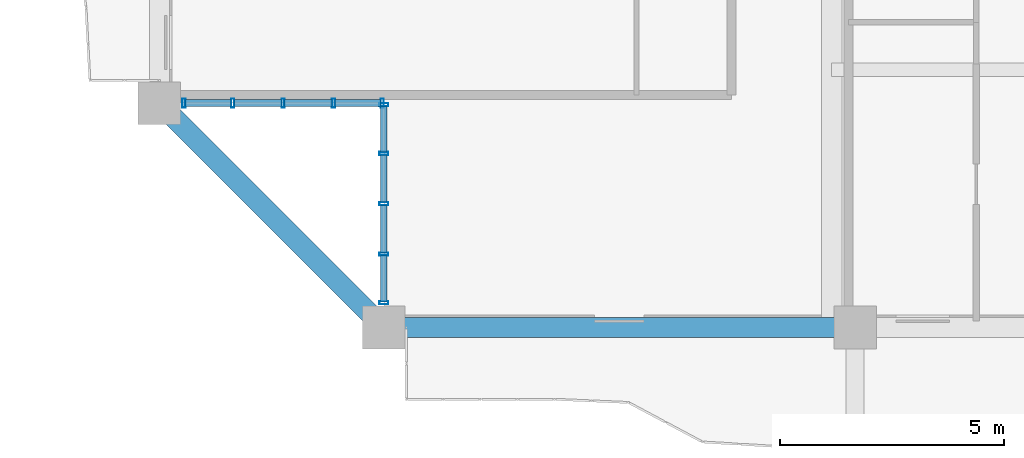
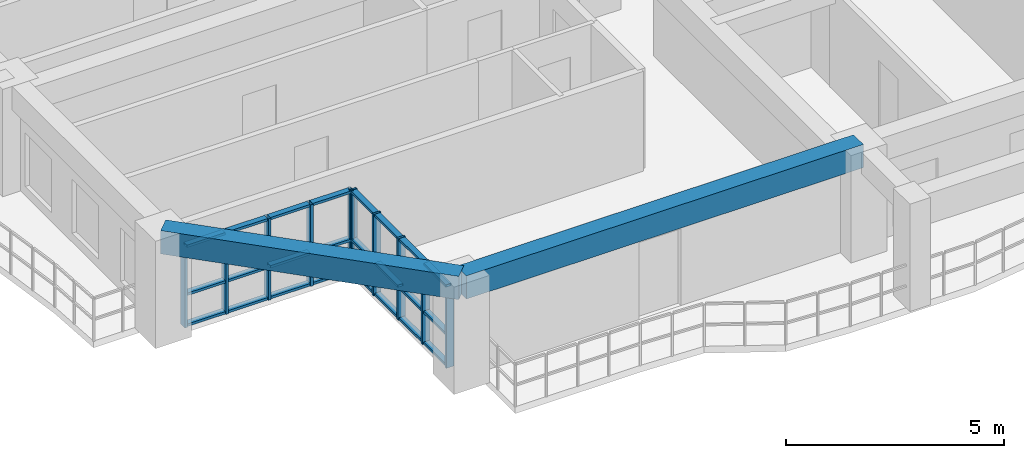
# One storey, part 2 of 23: 34 members, 2 beams, 2 elements without a shape of their own.
"""IFC4 building model written with IfcOpenShell, lengths in metres."""

from ifc_helpers import new_model, si_unit, direction, frame, origin, origin_2d, place, context, subcontext, project, spatial, rectangle, hollow_rectangle, extrude, source, transform, mapped, material, layer, layer_set, material_profile, profile_set, type_object, element, aggregate, save


model = new_model("IFC4")

# Units and contexts
model_context = context("Model", 3, precision=1e-05, world=origin(), true_north=direction((0.0, 1.0)))
body_context = subcontext(model_context, "Body", "Model", "MODEL_VIEW")
ifc_project = project(units=[si_unit("LENGTHUNIT", "METRE"), si_unit("AREAUNIT", "SQUARE_METRE"), si_unit("VOLUMEUNIT", "CUBIC_METRE"), si_unit("PLANEANGLEUNIT", "RADIAN"), si_unit("MASSUNIT", "GRAM", prefix="KILO")], contexts=[model_context])

# Site, building, storey
site_placement = place(None, origin())
site = spatial("IfcSite", under=ifc_project, at=site_placement, CompositionType="ELEMENT")
building_placement = place(site_placement, origin())
building = spatial("IfcBuilding", under=site, at=building_placement, Name="Saelheon Loggia Tower", CompositionType="ELEMENT")
storey_placement = place(building_placement, frame((0.0, 0.0, 156.10009765625)))
storey = spatial("IfcBuildingStorey", under=building, at=storey_placement, Name="L49", CompositionType="ELEMENT", Elevation=156.10009765625)

# Beams
ifc_material_1 = material(Name="Concrete C40/50", Category="concrete")
ifc_material_profile_1 = material_profile(ifc_material_1, rectangle(XDim=0.449951171875, YDim=0.64990234375, at=origin_2d()), Name="RC-450x650")
ifc_profile_set_1 = profile_set([ifc_material_profile_1], Name="Concrete C40/50")
beam_type = type_object("IfcBeamType", Name="Beam_PerimTower_RC450x650", PredefinedType="BEAM", material=ifc_profile_set_1)
shared_shape_1 = source(origin(), body_context, "Body", "SweptSolid", [
    extrude(rectangle(XDim=0.449951171875, YDim=0.64990234375, at=origin_2d()), origin(), (0.0, 0.0, 1.0), 10.5),
])
beam_1_placement = place(storey_placement, frame((21.0, 6.0, 2.6748046875), z_axis=(1.0, 0.0, 0.0), x_axis=(0.0, 1.0, 0.0)))
element("IfcBeam", 1, at=beam_1_placement, inside=storey, type_object=beam_type, Name="L49 Perimeter Frame Girder 01", PredefinedType="BEAM", context=body_context, shape_type="MappedRepresentation", body=[
    mapped(shared_shape_1, transform((0.0, 0.0, 0.0), scale=1.0)),
])
shared_shape_2 = source(origin(), body_context, "Body", "SweptSolid", [
    extrude(rectangle(XDim=0.449951171875, YDim=0.64990234375, at=origin_2d()), origin(), (0.0, 0.0, 1.0), 7.071044921875),
])
beam_2_placement = place(storey_placement, frame((16.0, 11.0, 2.6748046875), z_axis=(0.707106781187, -0.707106781187, 0.0), x_axis=(0.707106781187, 0.707106781187, 0.0)))
element("IfcBeam", 2, at=beam_2_placement, inside=storey, type_object=beam_type, Name="L49 Perimeter Frame Girder 16", PredefinedType="BEAM", context=body_context, shape_type="MappedRepresentation", body=[
    mapped(shared_shape_2, transform((0.0, 0.0, 0.0), scale=1.0)),
])

# Curtain wall, members
ifc_material_2 = material(Name="High-Wind Aluminium and Triple Laminated Glass", Category="aluminium")
ifc_layer = layer(ifc_material_2, 0.179931640625)
ifc_layer_set = layer_set([ifc_layer], Name="High-Wind Aluminium and Triple Laminated Glass")
curtain_wall_type = type_object("IfcCurtainWallType", Name="CW_TowerLoggiaHigh", PredefinedType="NOTDEFINED", material=ifc_layer_set)
curtain_wall_1_placement = place(storey_placement, origin())
curtain_wall_1 = element("IfcCurtainWall", 3, at=curtain_wall_1_placement, inside=storey, type_object=curtain_wall_type, Name="L49 Corner Notch Glazing SW1", PredefinedType="NOTDEFINED")
ifc_material_3 = material(Name="Anodised Aluminium 6063-T6", Category="aluminium")
ifc_material_profile_2 = material_profile(ifc_material_3, hollow_rectangle(XDim=0.070068359375, YDim=0.199951171875, WallThickness=0.0048828125, at=origin_2d()), Name="RHS-200x70x5")
ifc_profile_set_2 = profile_set([ifc_material_profile_2], Name="Anodised Aluminium 6063-T6")
member_type_1 = type_object("IfcMemberType", Name="CW_TowerLoggiaHigh_Mullion", PredefinedType="MULLION", material=ifc_profile_set_2)
shared_shape_3 = source(origin(), body_context, "Body", "SweptSolid", [
    extrude(hollow_rectangle(XDim=0.070068359375, YDim=0.199951171875, WallThickness=0.0048828125, at=origin_2d()), origin(), (0.0, 0.0, 1.0), 2.27978515625),
])
member_1_placement = place(storey_placement, frame((21.0, 6.550048828125, 0.0), z_axis=(0.0, 0.0, 1.0), x_axis=(0.0, 1.0, 0.0)))
member_1 = element("IfcMember", 4, at=member_1_placement, type_object=member_type_1, Name="CW4 mullion 1", PredefinedType="MULLION", context=body_context, shape_type="MappedRepresentation", body=[
    mapped(shared_shape_3, transform((0.0, 0.0, 0.0), scale=1.0)),
])
member_2_placement = place(storey_placement, frame((21.0, 7.63623046875, 0.0), z_axis=(0.0, 0.0, 1.0), x_axis=(0.0, 1.0, 0.0)))
member_2 = element("IfcMember", 5, at=member_2_placement, type_object=member_type_1, Name="CW4 mullion 2", PredefinedType="MULLION", context=body_context, shape_type="MappedRepresentation", body=[
    mapped(shared_shape_3, transform((0.0, 0.0, 0.0), scale=1.0)),
])
member_3_placement = place(storey_placement, frame((21.0, 8.757568359375, 0.0), z_axis=(0.0, 0.0, 1.0), x_axis=(0.0, 1.0, 0.0)))
member_3 = element("IfcMember", 6, at=member_3_placement, type_object=member_type_1, Name="CW4 mullion 3", PredefinedType="MULLION", context=body_context, shape_type="MappedRepresentation", body=[
    mapped(shared_shape_3, transform((0.0, 0.0, 0.0), scale=1.0)),
])
member_4_placement = place(storey_placement, frame((21.0, 9.878662109375, 0.0), z_axis=(0.0, 0.0, 1.0), x_axis=(0.0, 1.0, 0.0)))
member_4 = element("IfcMember", 7, at=member_4_placement, type_object=member_type_1, Name="CW4 mullion 4", PredefinedType="MULLION", context=body_context, shape_type="MappedRepresentation", body=[
    mapped(shared_shape_3, transform((0.0, 0.0, 0.0), scale=1.0)),
])
member_5_placement = place(storey_placement, frame((21.0, 10.965087890625, 0.0), z_axis=(0.0, 0.0, 1.0), x_axis=(0.0, 1.0, 0.0)))
member_5 = element("IfcMember", 8, at=member_5_placement, type_object=member_type_1, Name="CW4 mullion 5", PredefinedType="MULLION", context=body_context, shape_type="MappedRepresentation", body=[
    mapped(shared_shape_3, transform((0.0, 0.0, 0.0), scale=1.0)),
])

curtain_wall_2_placement = place(storey_placement, origin())
curtain_wall_2 = element("IfcCurtainWall", 9, at=curtain_wall_2_placement, inside=storey, type_object=curtain_wall_type, Name="L49 Corner Notch Glazing SW2", PredefinedType="NOTDEFINED")
member_6_placement = place(storey_placement, frame((16.550048828125, 11.0, 0.0), z_axis=(0.0, 0.0, 1.0), x_axis=(1.0, 0.0, 0.0)))
member_6 = element("IfcMember", 10, at=member_6_placement, type_object=member_type_1, Name="CW4 mullion 1", PredefinedType="MULLION", context=body_context, shape_type="MappedRepresentation", body=[
    mapped(shared_shape_3, transform((0.0, 0.0, 0.0), scale=1.0)),
])
member_7_placement = place(storey_placement, frame((17.63623046875, 11.0, 0.0), z_axis=(0.0, 0.0, 1.0), x_axis=(1.0, 0.0, 0.0)))
member_7 = element("IfcMember", 11, at=member_7_placement, type_object=member_type_1, Name="CW4 mullion 2", PredefinedType="MULLION", context=body_context, shape_type="MappedRepresentation", body=[
    mapped(shared_shape_3, transform((0.0, 0.0, 0.0), scale=1.0)),
])
member_8_placement = place(storey_placement, frame((18.757568359375, 11.0, 0.0), z_axis=(0.0, 0.0, 1.0), x_axis=(1.0, 0.0, 0.0)))
member_8 = element("IfcMember", 12, at=member_8_placement, type_object=member_type_1, Name="CW4 mullion 3", PredefinedType="MULLION", context=body_context, shape_type="MappedRepresentation", body=[
    mapped(shared_shape_3, transform((0.0, 0.0, 0.0), scale=1.0)),
])
member_9_placement = place(storey_placement, frame((19.878662109375, 11.0, 0.0), z_axis=(0.0, 0.0, 1.0), x_axis=(1.0, 0.0, 0.0)))
member_9 = element("IfcMember", 13, at=member_9_placement, type_object=member_type_1, Name="CW4 mullion 4", PredefinedType="MULLION", context=body_context, shape_type="MappedRepresentation", body=[
    mapped(shared_shape_3, transform((0.0, 0.0, 0.0), scale=1.0)),
])
member_10_placement = place(storey_placement, frame((20.965087890625, 11.0, 0.0), z_axis=(0.0, 0.0, 1.0), x_axis=(1.0, 0.0, 0.0)))
member_10 = element("IfcMember", 14, at=member_10_placement, type_object=member_type_1, Name="CW4 mullion 5", PredefinedType="MULLION", context=body_context, shape_type="MappedRepresentation", body=[
    mapped(shared_shape_3, transform((0.0, 0.0, 0.0), scale=1.0)),
])

# Member
ifc_material_profile_3 = material_profile(ifc_material_3, hollow_rectangle(XDim=0.070068359375, YDim=0.14990234375, WallThickness=0.0048828125, at=origin_2d()), Name="RHS-150x70x5")
ifc_profile_set_3 = profile_set([ifc_material_profile_3], Name="Anodised Aluminium 6063-T6")
member_type_2 = type_object("IfcMemberType", Name="CW_TowerLoggiaHigh_Transom", PredefinedType="USERDEFINED", material=ifc_profile_set_3)
shared_shape_4 = source(origin(), body_context, "Body", "SweptSolid", [
    extrude(hollow_rectangle(XDim=0.070068359375, YDim=0.14990234375, WallThickness=0.0048828125, at=origin_2d()), origin(), (0.0, 0.0, 1.0), 1.016357421875),
])
member_11_placement = place(storey_placement, frame((21.0, 6.5849609375, 0.034912109375), z_axis=(0.0, 1.0, 0.0), x_axis=(0.0, 0.0, 1.0)))
member_11 = element("IfcMember", 15, at=member_11_placement, type_object=member_type_2, Name="CW4 transom 1.1", ObjectType="TRANSOM", PredefinedType="USERDEFINED", context=body_context, shape_type="MappedRepresentation", body=[
    mapped(shared_shape_4, transform((0.0, 0.0, 0.0), scale=1.0)),
])

member_12_placement = place(storey_placement, frame((21.0, 6.5849609375, 0.89990234375), z_axis=(0.0, 1.0, 0.0), x_axis=(0.0, 0.0, 1.0)))
member_12 = element("IfcMember", 16, at=member_12_placement, type_object=member_type_2, Name="CW4 transom 1.2", ObjectType="TRANSOM", PredefinedType="USERDEFINED", context=body_context, shape_type="MappedRepresentation", body=[
    mapped(shared_shape_4, transform((0.0, 0.0, 0.0), scale=1.0)),
])

member_13_placement = place(storey_placement, frame((21.0, 6.5849609375, 2.244873046875), z_axis=(0.0, 1.0, 0.0), x_axis=(0.0, 0.0, 1.0)))
member_13 = element("IfcMember", 17, at=member_13_placement, type_object=member_type_2, Name="CW4 transom 1.3", ObjectType="TRANSOM", PredefinedType="USERDEFINED", context=body_context, shape_type="MappedRepresentation", body=[
    mapped(shared_shape_4, transform((0.0, 0.0, 0.0), scale=1.0)),
])

member_14_placement = place(storey_placement, frame((16.5849609375, 11.0, 0.034912109375), z_axis=(1.0, 0.0, 0.0), x_axis=(0.0, 0.0, 1.0)))
member_14 = element("IfcMember", 18, at=member_14_placement, type_object=member_type_2, Name="CW4 transom 1.1", ObjectType="TRANSOM", PredefinedType="USERDEFINED", context=body_context, shape_type="MappedRepresentation", body=[
    mapped(shared_shape_4, transform((0.0, 0.0, 0.0), scale=1.0)),
])

member_15_placement = place(storey_placement, frame((16.5849609375, 11.0, 0.89990234375), z_axis=(1.0, 0.0, 0.0), x_axis=(0.0, 0.0, 1.0)))
member_15 = element("IfcMember", 19, at=member_15_placement, type_object=member_type_2, Name="CW4 transom 1.2", ObjectType="TRANSOM", PredefinedType="USERDEFINED", context=body_context, shape_type="MappedRepresentation", body=[
    mapped(shared_shape_4, transform((0.0, 0.0, 0.0), scale=1.0)),
])

member_16_placement = place(storey_placement, frame((16.5849609375, 11.0, 2.244873046875), z_axis=(1.0, 0.0, 0.0), x_axis=(0.0, 0.0, 1.0)))
member_16 = element("IfcMember", 20, at=member_16_placement, type_object=member_type_2, Name="CW4 transom 1.3", ObjectType="TRANSOM", PredefinedType="USERDEFINED", context=body_context, shape_type="MappedRepresentation", body=[
    mapped(shared_shape_4, transform((0.0, 0.0, 0.0), scale=1.0)),
])

shared_shape_5 = source(origin(), body_context, "Body", "SweptSolid", [
    extrude(hollow_rectangle(XDim=0.070068359375, YDim=0.14990234375, WallThickness=0.0048828125, at=origin_2d()), origin(), (0.0, 0.0, 1.0), 1.05126953125),
])
member_17_placement = place(storey_placement, frame((21.0, 7.671142578125, 0.034912109375), z_axis=(0.0, 1.0, 0.0), x_axis=(0.0, 0.0, 1.0)))
member_17 = element("IfcMember", 21, at=member_17_placement, type_object=member_type_2, Name="CW4 transom 2.1", ObjectType="TRANSOM", PredefinedType="USERDEFINED", context=body_context, shape_type="MappedRepresentation", body=[
    mapped(shared_shape_5, transform((0.0, 0.0, 0.0), scale=1.0)),
])

member_18_placement = place(storey_placement, frame((21.0, 7.671142578125, 0.89990234375), z_axis=(0.0, 1.0, 0.0), x_axis=(0.0, 0.0, 1.0)))
member_18 = element("IfcMember", 22, at=member_18_placement, type_object=member_type_2, Name="CW4 transom 2.2", ObjectType="TRANSOM", PredefinedType="USERDEFINED", context=body_context, shape_type="MappedRepresentation", body=[
    mapped(shared_shape_5, transform((0.0, 0.0, 0.0), scale=1.0)),
])

member_19_placement = place(storey_placement, frame((21.0, 7.671142578125, 2.244873046875), z_axis=(0.0, 1.0, 0.0), x_axis=(0.0, 0.0, 1.0)))
member_19 = element("IfcMember", 23, at=member_19_placement, type_object=member_type_2, Name="CW4 transom 2.3", ObjectType="TRANSOM", PredefinedType="USERDEFINED", context=body_context, shape_type="MappedRepresentation", body=[
    mapped(shared_shape_5, transform((0.0, 0.0, 0.0), scale=1.0)),
])

member_20_placement = place(storey_placement, frame((21.0, 8.79248046875, 0.034912109375), z_axis=(0.0, 1.0, 0.0), x_axis=(0.0, 0.0, 1.0)))
member_20 = element("IfcMember", 24, at=member_20_placement, type_object=member_type_2, Name="CW4 transom 3.1", ObjectType="TRANSOM", PredefinedType="USERDEFINED", context=body_context, shape_type="MappedRepresentation", body=[
    mapped(shared_shape_5, transform((0.0, 0.0, 0.0), scale=1.0)),
])

member_21_placement = place(storey_placement, frame((21.0, 8.79248046875, 0.89990234375), z_axis=(0.0, 1.0, 0.0), x_axis=(0.0, 0.0, 1.0)))
member_21 = element("IfcMember", 25, at=member_21_placement, type_object=member_type_2, Name="CW4 transom 3.2", ObjectType="TRANSOM", PredefinedType="USERDEFINED", context=body_context, shape_type="MappedRepresentation", body=[
    mapped(shared_shape_5, transform((0.0, 0.0, 0.0), scale=1.0)),
])

member_22_placement = place(storey_placement, frame((21.0, 8.79248046875, 2.244873046875), z_axis=(0.0, 1.0, 0.0), x_axis=(0.0, 0.0, 1.0)))
member_22 = element("IfcMember", 26, at=member_22_placement, type_object=member_type_2, Name="CW4 transom 3.3", ObjectType="TRANSOM", PredefinedType="USERDEFINED", context=body_context, shape_type="MappedRepresentation", body=[
    mapped(shared_shape_5, transform((0.0, 0.0, 0.0), scale=1.0)),
])

member_23_placement = place(storey_placement, frame((17.671142578125, 11.0, 0.034912109375), z_axis=(1.0, 0.0, 0.0), x_axis=(0.0, 0.0, 1.0)))
member_23 = element("IfcMember", 27, at=member_23_placement, type_object=member_type_2, Name="CW4 transom 2.1", ObjectType="TRANSOM", PredefinedType="USERDEFINED", context=body_context, shape_type="MappedRepresentation", body=[
    mapped(shared_shape_5, transform((0.0, 0.0, 0.0), scale=1.0)),
])

member_24_placement = place(storey_placement, frame((17.671142578125, 11.0, 0.89990234375), z_axis=(1.0, 0.0, 0.0), x_axis=(0.0, 0.0, 1.0)))
member_24 = element("IfcMember", 28, at=member_24_placement, type_object=member_type_2, Name="CW4 transom 2.2", ObjectType="TRANSOM", PredefinedType="USERDEFINED", context=body_context, shape_type="MappedRepresentation", body=[
    mapped(shared_shape_5, transform((0.0, 0.0, 0.0), scale=1.0)),
])

member_25_placement = place(storey_placement, frame((17.671142578125, 11.0, 2.244873046875), z_axis=(1.0, 0.0, 0.0), x_axis=(0.0, 0.0, 1.0)))
member_25 = element("IfcMember", 29, at=member_25_placement, type_object=member_type_2, Name="CW4 transom 2.3", ObjectType="TRANSOM", PredefinedType="USERDEFINED", context=body_context, shape_type="MappedRepresentation", body=[
    mapped(shared_shape_5, transform((0.0, 0.0, 0.0), scale=1.0)),
])

member_26_placement = place(storey_placement, frame((18.79248046875, 11.0, 0.034912109375), z_axis=(1.0, 0.0, 0.0), x_axis=(0.0, 0.0, 1.0)))
member_26 = element("IfcMember", 30, at=member_26_placement, type_object=member_type_2, Name="CW4 transom 3.1", ObjectType="TRANSOM", PredefinedType="USERDEFINED", context=body_context, shape_type="MappedRepresentation", body=[
    mapped(shared_shape_5, transform((0.0, 0.0, 0.0), scale=1.0)),
])

member_27_placement = place(storey_placement, frame((18.79248046875, 11.0, 0.89990234375), z_axis=(1.0, 0.0, 0.0), x_axis=(0.0, 0.0, 1.0)))
member_27 = element("IfcMember", 31, at=member_27_placement, type_object=member_type_2, Name="CW4 transom 3.2", ObjectType="TRANSOM", PredefinedType="USERDEFINED", context=body_context, shape_type="MappedRepresentation", body=[
    mapped(shared_shape_5, transform((0.0, 0.0, 0.0), scale=1.0)),
])

member_28_placement = place(storey_placement, frame((18.79248046875, 11.0, 2.244873046875), z_axis=(1.0, 0.0, 0.0), x_axis=(0.0, 0.0, 1.0)))
member_28 = element("IfcMember", 32, at=member_28_placement, type_object=member_type_2, Name="CW4 transom 3.3", ObjectType="TRANSOM", PredefinedType="USERDEFINED", context=body_context, shape_type="MappedRepresentation", body=[
    mapped(shared_shape_5, transform((0.0, 0.0, 0.0), scale=1.0)),
])

shared_shape_6 = source(origin(), body_context, "Body", "SweptSolid", [
    extrude(hollow_rectangle(XDim=0.070068359375, YDim=0.14990234375, WallThickness=0.0048828125, at=origin_2d()), origin(), (0.0, 0.0, 1.0), 1.01611328125),
])
member_29_placement = place(storey_placement, frame((21.0, 9.913818359375, 0.034912109375), z_axis=(0.0, 1.0, 0.0), x_axis=(0.0, 0.0, 1.0)))
member_29 = element("IfcMember", 33, at=member_29_placement, type_object=member_type_2, Name="CW4 transom 4.1", ObjectType="TRANSOM", PredefinedType="USERDEFINED", context=body_context, shape_type="MappedRepresentation", body=[
    mapped(shared_shape_6, transform((0.0, 0.0, 0.0), scale=1.0)),
])

member_30_placement = place(storey_placement, frame((21.0, 9.913818359375, 0.89990234375), z_axis=(0.0, 1.0, 0.0), x_axis=(0.0, 0.0, 1.0)))
member_30 = element("IfcMember", 34, at=member_30_placement, type_object=member_type_2, Name="CW4 transom 4.2", ObjectType="TRANSOM", PredefinedType="USERDEFINED", context=body_context, shape_type="MappedRepresentation", body=[
    mapped(shared_shape_6, transform((0.0, 0.0, 0.0), scale=1.0)),
])

member_31_placement = place(storey_placement, frame((21.0, 9.913818359375, 2.244873046875), z_axis=(0.0, 1.0, 0.0), x_axis=(0.0, 0.0, 1.0)))
member_31 = element("IfcMember", 35, at=member_31_placement, type_object=member_type_2, Name="CW4 transom 4.3", ObjectType="TRANSOM", PredefinedType="USERDEFINED", context=body_context, shape_type="MappedRepresentation", body=[
    mapped(shared_shape_6, transform((0.0, 0.0, 0.0), scale=1.0)),
])

aggregate(curtain_wall_1, [member_1, member_2, member_3, member_4, member_5, member_11, member_12, member_13, member_17, member_18, member_19, member_20, member_21, member_22, member_29, member_30, member_31])

member_32_placement = place(storey_placement, frame((19.913818359375, 11.0, 0.034912109375), z_axis=(1.0, 0.0, 0.0), x_axis=(0.0, 0.0, 1.0)))
member_32 = element("IfcMember", 36, at=member_32_placement, type_object=member_type_2, Name="CW4 transom 4.1", ObjectType="TRANSOM", PredefinedType="USERDEFINED", context=body_context, shape_type="MappedRepresentation", body=[
    mapped(shared_shape_6, transform((0.0, 0.0, 0.0), scale=1.0)),
])

member_33_placement = place(storey_placement, frame((19.913818359375, 11.0, 0.89990234375), z_axis=(1.0, 0.0, 0.0), x_axis=(0.0, 0.0, 1.0)))
member_33 = element("IfcMember", 37, at=member_33_placement, type_object=member_type_2, Name="CW4 transom 4.2", ObjectType="TRANSOM", PredefinedType="USERDEFINED", context=body_context, shape_type="MappedRepresentation", body=[
    mapped(shared_shape_6, transform((0.0, 0.0, 0.0), scale=1.0)),
])

member_34_placement = place(storey_placement, frame((19.913818359375, 11.0, 2.244873046875), z_axis=(1.0, 0.0, 0.0), x_axis=(0.0, 0.0, 1.0)))
member_34 = element("IfcMember", 38, at=member_34_placement, type_object=member_type_2, Name="CW4 transom 4.3", ObjectType="TRANSOM", PredefinedType="USERDEFINED", context=body_context, shape_type="MappedRepresentation", body=[
    mapped(shared_shape_6, transform((0.0, 0.0, 0.0), scale=1.0)),
])

aggregate(curtain_wall_2, [member_6, member_7, member_8, member_9, member_10, member_14, member_15, member_16, member_23, member_24, member_25, member_26, member_27, member_28, member_32, member_33, member_34])

save(model, "model.ifc")
